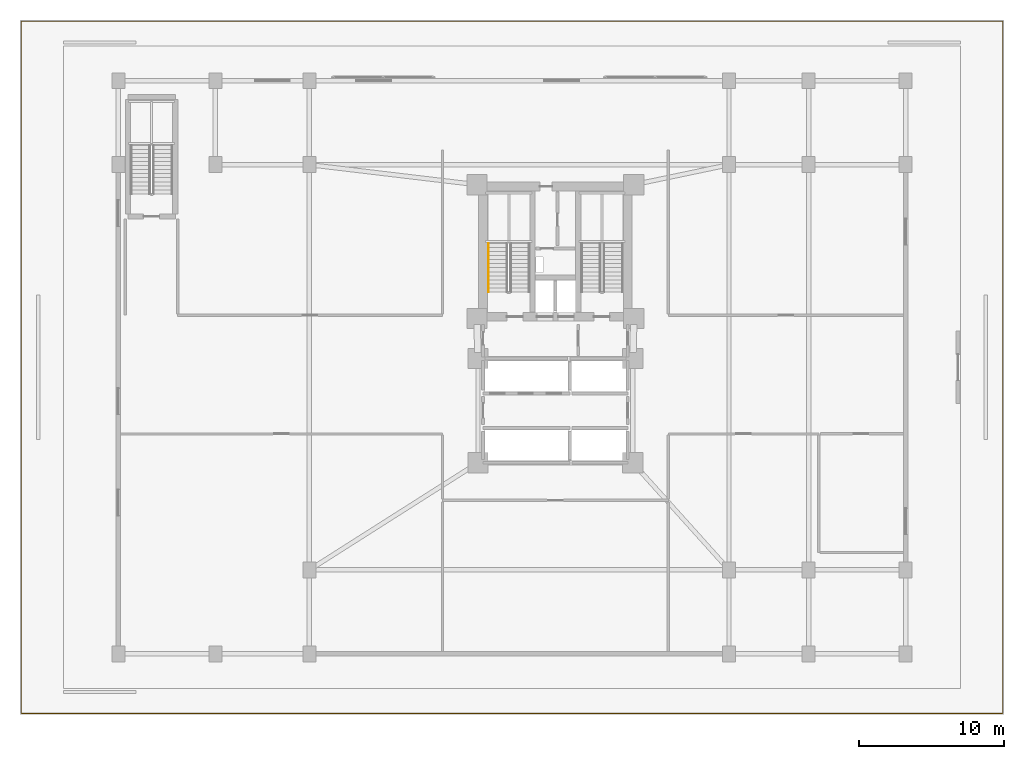
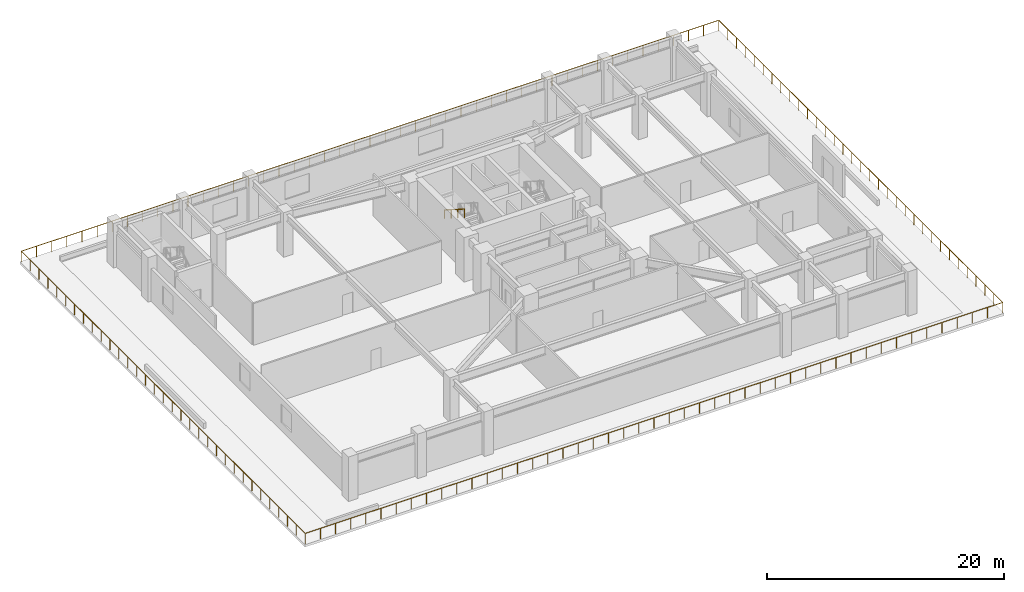
# One storey, part 9 of 10: 2 railings.
"""IFC4 building model written with IfcOpenShell, lengths in metres."""

from ifc_helpers import new_model, si_unit, direction, frame, origin, origin_2d, place, context, subcontext, project, spatial, rectangle, extrude, material, type_object, element, save


model = new_model("IFC4")

# Units and contexts
model_context = context("Model", 3, precision=1e-05, world=origin(), true_north=direction((0.0, 1.0)))
body_context = subcontext(model_context, "Body", "Model", "MODEL_VIEW")
ifc_project = project(units=[si_unit("LENGTHUNIT", "METRE"), si_unit("AREAUNIT", "SQUARE_METRE"), si_unit("VOLUMEUNIT", "CUBIC_METRE"), si_unit("PLANEANGLEUNIT", "RADIAN"), si_unit("MASSUNIT", "GRAM", prefix="KILO")], contexts=[model_context])

# Site, building, storey
site_placement = place(None, origin())
site = spatial("IfcSite", under=ifc_project, at=site_placement, CompositionType="ELEMENT")
building_placement = place(site_placement, origin())
building = spatial("IfcBuilding", under=site, at=building_placement, Name="Varnakorn Sky Granary", CompositionType="ELEMENT")
storey_placement = place(building_placement, frame((0.0, 0.0, 9.199951171875)))
storey = spatial("IfcBuildingStorey", under=building, at=storey_placement, Name="L02", CompositionType="ELEMENT", Elevation=9.199951171875)

# Railings
ifc_material_1 = material(Name="Anodised Bronze Aluminium Alloy 6063-T6", Category="aluminium")
railing_type_1 = type_object("IfcRailingType", Name="RL-BAL-1120", PredefinedType="BALUSTRADE", material=ifc_material_1)
railing_1_placement = place(storey_placement, frame((-33.919921875, -23.919921875, 0.0)))
element("IfcRailing", 1, at=railing_1_placement, inside=storey, type_object=railing_type_1, Name="Cascading Terrace Guard Balustrade L02", PredefinedType="BALUSTRADE", context=body_context, shape_type="SweptSolid", body=[
    extrude(rectangle(XDim=0.048095703125, YDim=0.048095703125, at=origin_2d()), frame((0.028076171875, 0.0, 1.09619140625), z_axis=(1.0, 0.0, 0.0), x_axis=(0.0, 1.0, 0.0)), (0.0, 0.0, 1.0), 67.783935546875),
    extrude(rectangle(XDim=0.048095703125, YDim=0.048095703125, at=origin_2d()), frame((67.83984375, 0.028076171875, 1.09619140625), z_axis=(0.0, 1.0, 0.0), x_axis=(-1.0, 0.0, 0.0)), (0.0, 0.0, 1.0), 47.783935546875),
    extrude(rectangle(XDim=0.048095703125, YDim=0.048095703125, at=origin_2d()), frame((67.811767578125, 47.83984375, 1.09619140625), z_axis=(-1.0, 0.0, 0.0), x_axis=(0.0, -1.0, 0.0)), (0.0, 0.0, 1.0), 67.783935546875),
    extrude(rectangle(XDim=0.048095703125, YDim=0.048095703125, at=origin_2d()), frame((0.0, 47.811767578125, 1.09619140625), z_axis=(0.0, -1.0, 0.0), x_axis=(1.0, 0.0, 0.0)), (0.0, 0.0, 1.0), 47.783935546875),
    extrude(rectangle(XDim=0.0419921875, YDim=0.0419921875, at=origin_2d()), origin(), (0.0, 0.0, 1.0), 1.068115234375),
    extrude(rectangle(XDim=0.0419921875, YDim=0.0419921875, at=origin_2d()), frame((1.474853515625, 0.0, 0.0)), (0.0, 0.0, 1.0), 1.068115234375),
    extrude(rectangle(XDim=0.0419921875, YDim=0.0419921875, at=origin_2d()), frame((2.949462890625, 0.0, 0.0)), (0.0, 0.0, 1.0), 1.068115234375),
    extrude(rectangle(XDim=0.0419921875, YDim=0.0419921875, at=origin_2d()), frame((4.42431640625, 0.0, 0.0)), (0.0, 0.0, 1.0), 1.068115234375),
    extrude(rectangle(XDim=0.0419921875, YDim=0.0419921875, at=origin_2d()), frame((5.899169921875, 0.0, 0.0)), (0.0, 0.0, 1.0), 1.068115234375),
    extrude(rectangle(XDim=0.0419921875, YDim=0.0419921875, at=origin_2d()), frame((7.373779296875, 0.0, 0.0)), (0.0, 0.0, 1.0), 1.068115234375),
    extrude(rectangle(XDim=0.0419921875, YDim=0.0419921875, at=origin_2d()), frame((8.8486328125, 0.0, 0.0)), (0.0, 0.0, 1.0), 1.068115234375),
    extrude(rectangle(XDim=0.0419921875, YDim=0.0419921875, at=origin_2d()), frame((10.323486328125, 0.0, 0.0)), (0.0, 0.0, 1.0), 1.068115234375),
    extrude(rectangle(XDim=0.0419921875, YDim=0.0419921875, at=origin_2d()), frame((11.79833984375, 0.0, 0.0)), (0.0, 0.0, 1.0), 1.068115234375),
    extrude(rectangle(XDim=0.0419921875, YDim=0.0419921875, at=origin_2d()), frame((13.27294921875, 0.0, 0.0)), (0.0, 0.0, 1.0), 1.068115234375),
    extrude(rectangle(XDim=0.0419921875, YDim=0.0419921875, at=origin_2d()), frame((14.747802734375, 0.0, 0.0)), (0.0, 0.0, 1.0), 1.068115234375),
    extrude(rectangle(XDim=0.0419921875, YDim=0.0419921875, at=origin_2d()), frame((16.22265625, 0.0, 0.0)), (0.0, 0.0, 1.0), 1.068115234375),
    extrude(rectangle(XDim=0.0419921875, YDim=0.0419921875, at=origin_2d()), frame((17.697265625, 0.0, 0.0)), (0.0, 0.0, 1.0), 1.068115234375),
    extrude(rectangle(XDim=0.0419921875, YDim=0.0419921875, at=origin_2d()), frame((19.172119140625, 0.0, 0.0)), (0.0, 0.0, 1.0), 1.068115234375),
    extrude(rectangle(XDim=0.0419921875, YDim=0.0419921875, at=origin_2d()), frame((20.64697265625, 0.0, 0.0)), (0.0, 0.0, 1.0), 1.068115234375),
    extrude(rectangle(XDim=0.0419921875, YDim=0.0419921875, at=origin_2d()), frame((22.12158203125, 0.0, 0.0)), (0.0, 0.0, 1.0), 1.068115234375),
    extrude(rectangle(XDim=0.0419921875, YDim=0.0419921875, at=origin_2d()), frame((23.596435546875, 0.0, 0.0)), (0.0, 0.0, 1.0), 1.068115234375),
    extrude(rectangle(XDim=0.0419921875, YDim=0.0419921875, at=origin_2d()), frame((25.0712890625, 0.0, 0.0)), (0.0, 0.0, 1.0), 1.068115234375),
    extrude(rectangle(XDim=0.0419921875, YDim=0.0419921875, at=origin_2d()), frame((26.546142578125, 0.0, 0.0)), (0.0, 0.0, 1.0), 1.068115234375),
    extrude(rectangle(XDim=0.0419921875, YDim=0.0419921875, at=origin_2d()), frame((28.020751953125, 0.0, 0.0)), (0.0, 0.0, 1.0), 1.068115234375),
    extrude(rectangle(XDim=0.0419921875, YDim=0.0419921875, at=origin_2d()), frame((29.49560546875, 0.0, 0.0)), (0.0, 0.0, 1.0), 1.068115234375),
    extrude(rectangle(XDim=0.0419921875, YDim=0.0419921875, at=origin_2d()), frame((30.970458984375, 0.0, 0.0)), (0.0, 0.0, 1.0), 1.068115234375),
    extrude(rectangle(XDim=0.0419921875, YDim=0.0419921875, at=origin_2d()), frame((32.445068359375, 0.0, 0.0)), (0.0, 0.0, 1.0), 1.068115234375),
    extrude(rectangle(XDim=0.0419921875, YDim=0.0419921875, at=origin_2d()), frame((33.919921875, 0.0, 0.0)), (0.0, 0.0, 1.0), 1.068115234375),
    extrude(rectangle(XDim=0.0419921875, YDim=0.0419921875, at=origin_2d()), frame((35.394775390625, 0.0, 0.0)), (0.0, 0.0, 1.0), 1.068115234375),
    extrude(rectangle(XDim=0.0419921875, YDim=0.0419921875, at=origin_2d()), frame((36.869384765625, 0.0, 0.0)), (0.0, 0.0, 1.0), 1.068115234375),
    extrude(rectangle(XDim=0.0419921875, YDim=0.0419921875, at=origin_2d()), frame((38.34423828125, 0.0, 0.0)), (0.0, 0.0, 1.0), 1.068115234375),
    extrude(rectangle(XDim=0.0419921875, YDim=0.0419921875, at=origin_2d()), frame((39.819091796875, 0.0, 0.0)), (0.0, 0.0, 1.0), 1.068115234375),
    extrude(rectangle(XDim=0.0419921875, YDim=0.0419921875, at=origin_2d()), frame((41.293701171875, 0.0, 0.0)), (0.0, 0.0, 1.0), 1.068115234375),
    extrude(rectangle(XDim=0.0419921875, YDim=0.0419921875, at=origin_2d()), frame((42.7685546875, 0.0, 0.0)), (0.0, 0.0, 1.0), 1.068115234375),
    extrude(rectangle(XDim=0.0419921875, YDim=0.0419921875, at=origin_2d()), frame((44.243408203125, 0.0, 0.0)), (0.0, 0.0, 1.0), 1.068115234375),
    extrude(rectangle(XDim=0.0419921875, YDim=0.0419921875, at=origin_2d()), frame((45.71826171875, 0.0, 0.0)), (0.0, 0.0, 1.0), 1.068115234375),
    extrude(rectangle(XDim=0.0419921875, YDim=0.0419921875, at=origin_2d()), frame((47.19287109375, 0.0, 0.0)), (0.0, 0.0, 1.0), 1.068115234375),
    extrude(rectangle(XDim=0.0419921875, YDim=0.0419921875, at=origin_2d()), frame((48.667724609375, 0.0, 0.0)), (0.0, 0.0, 1.0), 1.068115234375),
    extrude(rectangle(XDim=0.0419921875, YDim=0.0419921875, at=origin_2d()), frame((50.142578125, 0.0, 0.0)), (0.0, 0.0, 1.0), 1.068115234375),
    extrude(rectangle(XDim=0.0419921875, YDim=0.0419921875, at=origin_2d()), frame((51.6171875, 0.0, 0.0)), (0.0, 0.0, 1.0), 1.068115234375),
    extrude(rectangle(XDim=0.0419921875, YDim=0.0419921875, at=origin_2d()), frame((53.092041015625, 0.0, 0.0)), (0.0, 0.0, 1.0), 1.068115234375),
    extrude(rectangle(XDim=0.0419921875, YDim=0.0419921875, at=origin_2d()), frame((54.56689453125, 0.0, 0.0)), (0.0, 0.0, 1.0), 1.068115234375),
    extrude(rectangle(XDim=0.0419921875, YDim=0.0419921875, at=origin_2d()), frame((56.04150390625, 0.0, 0.0)), (0.0, 0.0, 1.0), 1.068115234375),
    extrude(rectangle(XDim=0.0419921875, YDim=0.0419921875, at=origin_2d()), frame((57.516357421875, 0.0, 0.0)), (0.0, 0.0, 1.0), 1.068115234375),
    extrude(rectangle(XDim=0.0419921875, YDim=0.0419921875, at=origin_2d()), frame((58.9912109375, 0.0, 0.0)), (0.0, 0.0, 1.0), 1.068115234375),
    extrude(rectangle(XDim=0.0419921875, YDim=0.0419921875, at=origin_2d()), frame((60.466064453125, 0.0, 0.0)), (0.0, 0.0, 1.0), 1.068115234375),
    extrude(rectangle(XDim=0.0419921875, YDim=0.0419921875, at=origin_2d()), frame((61.940673828125, 0.0, 0.0)), (0.0, 0.0, 1.0), 1.068115234375),
    extrude(rectangle(XDim=0.0419921875, YDim=0.0419921875, at=origin_2d()), frame((63.41552734375, 0.0, 0.0)), (0.0, 0.0, 1.0), 1.068115234375),
    extrude(rectangle(XDim=0.0419921875, YDim=0.0419921875, at=origin_2d()), frame((64.890380859375, 0.0, 0.0)), (0.0, 0.0, 1.0), 1.068115234375),
    extrude(rectangle(XDim=0.0419921875, YDim=0.0419921875, at=origin_2d()), frame((66.364990234375, 0.0, 0.0)), (0.0, 0.0, 1.0), 1.068115234375),
    extrude(rectangle(XDim=0.0419921875, YDim=0.0419921875, at=origin_2d()), frame((67.83984375, 0.0, 0.0)), (0.0, 0.0, 1.0), 1.068115234375),
    extrude(rectangle(XDim=0.0419921875, YDim=0.0419921875, at=origin_2d()), frame((67.83984375, 1.4951171875, 0.0)), (0.0, 0.0, 1.0), 1.068115234375),
    extrude(rectangle(XDim=0.0419921875, YDim=0.0419921875, at=origin_2d()), frame((67.83984375, 2.989990234375, 0.0)), (0.0, 0.0, 1.0), 1.068115234375),
    extrude(rectangle(XDim=0.0419921875, YDim=0.0419921875, at=origin_2d()), frame((67.83984375, 4.48486328125, 0.0)), (0.0, 0.0, 1.0), 1.068115234375),
    extrude(rectangle(XDim=0.0419921875, YDim=0.0419921875, at=origin_2d()), frame((67.83984375, 5.97998046875, 0.0)), (0.0, 0.0, 1.0), 1.068115234375),
    extrude(rectangle(XDim=0.0419921875, YDim=0.0419921875, at=origin_2d()), frame((67.83984375, 7.47509765625, 0.0)), (0.0, 0.0, 1.0), 1.068115234375),
    extrude(rectangle(XDim=0.0419921875, YDim=0.0419921875, at=origin_2d()), frame((67.83984375, 8.969970703125, 0.0)), (0.0, 0.0, 1.0), 1.068115234375),
    extrude(rectangle(XDim=0.0419921875, YDim=0.0419921875, at=origin_2d()), frame((67.83984375, 10.46484375, 0.0)), (0.0, 0.0, 1.0), 1.068115234375),
    extrude(rectangle(XDim=0.0419921875, YDim=0.0419921875, at=origin_2d()), frame((67.83984375, 11.9599609375, 0.0)), (0.0, 0.0, 1.0), 1.068115234375),
    extrude(rectangle(XDim=0.0419921875, YDim=0.0419921875, at=origin_2d()), frame((67.83984375, 13.455078125, 0.0)), (0.0, 0.0, 1.0), 1.068115234375),
    extrude(rectangle(XDim=0.0419921875, YDim=0.0419921875, at=origin_2d()), frame((67.83984375, 14.949951171875, 0.0)), (0.0, 0.0, 1.0), 1.068115234375),
    extrude(rectangle(XDim=0.0419921875, YDim=0.0419921875, at=origin_2d()), frame((67.83984375, 16.44482421875, 0.0)), (0.0, 0.0, 1.0), 1.068115234375),
    extrude(rectangle(XDim=0.0419921875, YDim=0.0419921875, at=origin_2d()), frame((67.83984375, 17.93994140625, 0.0)), (0.0, 0.0, 1.0), 1.068115234375),
    extrude(rectangle(XDim=0.0419921875, YDim=0.0419921875, at=origin_2d()), frame((67.83984375, 19.43505859375, 0.0)), (0.0, 0.0, 1.0), 1.068115234375),
    extrude(rectangle(XDim=0.0419921875, YDim=0.0419921875, at=origin_2d()), frame((67.83984375, 20.929931640625, 0.0)), (0.0, 0.0, 1.0), 1.068115234375),
    extrude(rectangle(XDim=0.0419921875, YDim=0.0419921875, at=origin_2d()), frame((67.83984375, 22.4248046875, 0.0)), (0.0, 0.0, 1.0), 1.068115234375),
    extrude(rectangle(XDim=0.0419921875, YDim=0.0419921875, at=origin_2d()), frame((67.83984375, 23.919921875, 0.0)), (0.0, 0.0, 1.0), 1.068115234375),
    extrude(rectangle(XDim=0.0419921875, YDim=0.0419921875, at=origin_2d()), frame((67.83984375, 25.4150390625, 0.0)), (0.0, 0.0, 1.0), 1.068115234375),
    extrude(rectangle(XDim=0.0419921875, YDim=0.0419921875, at=origin_2d()), frame((67.83984375, 26.909912109375, 0.0)), (0.0, 0.0, 1.0), 1.068115234375),
    extrude(rectangle(XDim=0.0419921875, YDim=0.0419921875, at=origin_2d()), frame((67.83984375, 28.40478515625, 0.0)), (0.0, 0.0, 1.0), 1.068115234375),
    extrude(rectangle(XDim=0.0419921875, YDim=0.0419921875, at=origin_2d()), frame((67.83984375, 29.89990234375, 0.0)), (0.0, 0.0, 1.0), 1.068115234375),
    extrude(rectangle(XDim=0.0419921875, YDim=0.0419921875, at=origin_2d()), frame((67.83984375, 31.39501953125, 0.0)), (0.0, 0.0, 1.0), 1.068115234375),
    extrude(rectangle(XDim=0.0419921875, YDim=0.0419921875, at=origin_2d()), frame((67.83984375, 32.889892578125, 0.0)), (0.0, 0.0, 1.0), 1.068115234375),
    extrude(rectangle(XDim=0.0419921875, YDim=0.0419921875, at=origin_2d()), frame((67.83984375, 34.384765625, 0.0)), (0.0, 0.0, 1.0), 1.068115234375),
    extrude(rectangle(XDim=0.0419921875, YDim=0.0419921875, at=origin_2d()), frame((67.83984375, 35.8798828125, 0.0)), (0.0, 0.0, 1.0), 1.068115234375),
    extrude(rectangle(XDim=0.0419921875, YDim=0.0419921875, at=origin_2d()), frame((67.83984375, 37.375, 0.0)), (0.0, 0.0, 1.0), 1.068115234375),
    extrude(rectangle(XDim=0.0419921875, YDim=0.0419921875, at=origin_2d()), frame((67.83984375, 38.869873046875, 0.0)), (0.0, 0.0, 1.0), 1.068115234375),
    extrude(rectangle(XDim=0.0419921875, YDim=0.0419921875, at=origin_2d()), frame((67.83984375, 40.36474609375, 0.0)), (0.0, 0.0, 1.0), 1.068115234375),
    extrude(rectangle(XDim=0.0419921875, YDim=0.0419921875, at=origin_2d()), frame((67.83984375, 41.85986328125, 0.0)), (0.0, 0.0, 1.0), 1.068115234375),
    extrude(rectangle(XDim=0.0419921875, YDim=0.0419921875, at=origin_2d()), frame((67.83984375, 43.35498046875, 0.0)), (0.0, 0.0, 1.0), 1.068115234375),
    extrude(rectangle(XDim=0.0419921875, YDim=0.0419921875, at=origin_2d()), frame((67.83984375, 44.849853515625, 0.0)), (0.0, 0.0, 1.0), 1.068115234375),
    extrude(rectangle(XDim=0.0419921875, YDim=0.0419921875, at=origin_2d()), frame((67.83984375, 46.3447265625, 0.0)), (0.0, 0.0, 1.0), 1.068115234375),
    extrude(rectangle(XDim=0.0419921875, YDim=0.0419921875, at=origin_2d()), frame((67.83984375, 47.83984375, 0.0)), (0.0, 0.0, 1.0), 1.068115234375),
    extrude(rectangle(XDim=0.0419921875, YDim=0.0419921875, at=origin_2d()), frame((66.364990234375, 47.83984375, 0.0)), (0.0, 0.0, 1.0), 1.068115234375),
    extrude(rectangle(XDim=0.0419921875, YDim=0.0419921875, at=origin_2d()), frame((64.890380859375, 47.83984375, 0.0)), (0.0, 0.0, 1.0), 1.068115234375),
    extrude(rectangle(XDim=0.0419921875, YDim=0.0419921875, at=origin_2d()), frame((63.41552734375, 47.83984375, 0.0)), (0.0, 0.0, 1.0), 1.068115234375),
    extrude(rectangle(XDim=0.0419921875, YDim=0.0419921875, at=origin_2d()), frame((61.940673828125, 47.83984375, 0.0)), (0.0, 0.0, 1.0), 1.068115234375),
    extrude(rectangle(XDim=0.0419921875, YDim=0.0419921875, at=origin_2d()), frame((60.466064453125, 47.83984375, 0.0)), (0.0, 0.0, 1.0), 1.068115234375),
    extrude(rectangle(XDim=0.0419921875, YDim=0.0419921875, at=origin_2d()), frame((58.9912109375, 47.83984375, 0.0)), (0.0, 0.0, 1.0), 1.068115234375),
    extrude(rectangle(XDim=0.0419921875, YDim=0.0419921875, at=origin_2d()), frame((57.516357421875, 47.83984375, 0.0)), (0.0, 0.0, 1.0), 1.068115234375),
    extrude(rectangle(XDim=0.0419921875, YDim=0.0419921875, at=origin_2d()), frame((56.04150390625, 47.83984375, 0.0)), (0.0, 0.0, 1.0), 1.068115234375),
    extrude(rectangle(XDim=0.0419921875, YDim=0.0419921875, at=origin_2d()), frame((54.56689453125, 47.83984375, 0.0)), (0.0, 0.0, 1.0), 1.068115234375),
    extrude(rectangle(XDim=0.0419921875, YDim=0.0419921875, at=origin_2d()), frame((53.092041015625, 47.83984375, 0.0)), (0.0, 0.0, 1.0), 1.068115234375),
    extrude(rectangle(XDim=0.0419921875, YDim=0.0419921875, at=origin_2d()), frame((51.6171875, 47.83984375, 0.0)), (0.0, 0.0, 1.0), 1.068115234375),
    extrude(rectangle(XDim=0.0419921875, YDim=0.0419921875, at=origin_2d()), frame((50.142578125, 47.83984375, 0.0)), (0.0, 0.0, 1.0), 1.068115234375),
    extrude(rectangle(XDim=0.0419921875, YDim=0.0419921875, at=origin_2d()), frame((48.667724609375, 47.83984375, 0.0)), (0.0, 0.0, 1.0), 1.068115234375),
    extrude(rectangle(XDim=0.0419921875, YDim=0.0419921875, at=origin_2d()), frame((47.19287109375, 47.83984375, 0.0)), (0.0, 0.0, 1.0), 1.068115234375),
    extrude(rectangle(XDim=0.0419921875, YDim=0.0419921875, at=origin_2d()), frame((45.71826171875, 47.83984375, 0.0)), (0.0, 0.0, 1.0), 1.068115234375),
    extrude(rectangle(XDim=0.0419921875, YDim=0.0419921875, at=origin_2d()), frame((44.243408203125, 47.83984375, 0.0)), (0.0, 0.0, 1.0), 1.068115234375),
    extrude(rectangle(XDim=0.0419921875, YDim=0.0419921875, at=origin_2d()), frame((42.7685546875, 47.83984375, 0.0)), (0.0, 0.0, 1.0), 1.068115234375),
    extrude(rectangle(XDim=0.0419921875, YDim=0.0419921875, at=origin_2d()), frame((41.293701171875, 47.83984375, 0.0)), (0.0, 0.0, 1.0), 1.068115234375),
    extrude(rectangle(XDim=0.0419921875, YDim=0.0419921875, at=origin_2d()), frame((39.819091796875, 47.83984375, 0.0)), (0.0, 0.0, 1.0), 1.068115234375),
    extrude(rectangle(XDim=0.0419921875, YDim=0.0419921875, at=origin_2d()), frame((38.34423828125, 47.83984375, 0.0)), (0.0, 0.0, 1.0), 1.068115234375),
    extrude(rectangle(XDim=0.0419921875, YDim=0.0419921875, at=origin_2d()), frame((36.869384765625, 47.83984375, 0.0)), (0.0, 0.0, 1.0), 1.068115234375),
    extrude(rectangle(XDim=0.0419921875, YDim=0.0419921875, at=origin_2d()), frame((35.394775390625, 47.83984375, 0.0)), (0.0, 0.0, 1.0), 1.068115234375),
    extrude(rectangle(XDim=0.0419921875, YDim=0.0419921875, at=origin_2d()), frame((33.919921875, 47.83984375, 0.0)), (0.0, 0.0, 1.0), 1.068115234375),
    extrude(rectangle(XDim=0.0419921875, YDim=0.0419921875, at=origin_2d()), frame((32.445068359375, 47.83984375, 0.0)), (0.0, 0.0, 1.0), 1.068115234375),
    extrude(rectangle(XDim=0.0419921875, YDim=0.0419921875, at=origin_2d()), frame((30.970458984375, 47.83984375, 0.0)), (0.0, 0.0, 1.0), 1.068115234375),
    extrude(rectangle(XDim=0.0419921875, YDim=0.0419921875, at=origin_2d()), frame((29.49560546875, 47.83984375, 0.0)), (0.0, 0.0, 1.0), 1.068115234375),
    extrude(rectangle(XDim=0.0419921875, YDim=0.0419921875, at=origin_2d()), frame((28.020751953125, 47.83984375, 0.0)), (0.0, 0.0, 1.0), 1.068115234375),
    extrude(rectangle(XDim=0.0419921875, YDim=0.0419921875, at=origin_2d()), frame((26.546142578125, 47.83984375, 0.0)), (0.0, 0.0, 1.0), 1.068115234375),
    extrude(rectangle(XDim=0.0419921875, YDim=0.0419921875, at=origin_2d()), frame((25.0712890625, 47.83984375, 0.0)), (0.0, 0.0, 1.0), 1.068115234375),
    extrude(rectangle(XDim=0.0419921875, YDim=0.0419921875, at=origin_2d()), frame((23.596435546875, 47.83984375, 0.0)), (0.0, 0.0, 1.0), 1.068115234375),
    extrude(rectangle(XDim=0.0419921875, YDim=0.0419921875, at=origin_2d()), frame((22.12158203125, 47.83984375, 0.0)), (0.0, 0.0, 1.0), 1.068115234375),
    extrude(rectangle(XDim=0.0419921875, YDim=0.0419921875, at=origin_2d()), frame((20.64697265625, 47.83984375, 0.0)), (0.0, 0.0, 1.0), 1.068115234375),
    extrude(rectangle(XDim=0.0419921875, YDim=0.0419921875, at=origin_2d()), frame((19.172119140625, 47.83984375, 0.0)), (0.0, 0.0, 1.0), 1.068115234375),
    extrude(rectangle(XDim=0.0419921875, YDim=0.0419921875, at=origin_2d()), frame((17.697265625, 47.83984375, 0.0)), (0.0, 0.0, 1.0), 1.068115234375),
    extrude(rectangle(XDim=0.0419921875, YDim=0.0419921875, at=origin_2d()), frame((16.22265625, 47.83984375, 0.0)), (0.0, 0.0, 1.0), 1.068115234375),
    extrude(rectangle(XDim=0.0419921875, YDim=0.0419921875, at=origin_2d()), frame((14.747802734375, 47.83984375, 0.0)), (0.0, 0.0, 1.0), 1.068115234375),
    extrude(rectangle(XDim=0.0419921875, YDim=0.0419921875, at=origin_2d()), frame((13.27294921875, 47.83984375, 0.0)), (0.0, 0.0, 1.0), 1.068115234375),
    extrude(rectangle(XDim=0.0419921875, YDim=0.0419921875, at=origin_2d()), frame((11.79833984375, 47.83984375, 0.0)), (0.0, 0.0, 1.0), 1.068115234375),
    extrude(rectangle(XDim=0.0419921875, YDim=0.0419921875, at=origin_2d()), frame((10.323486328125, 47.83984375, 0.0)), (0.0, 0.0, 1.0), 1.068115234375),
    extrude(rectangle(XDim=0.0419921875, YDim=0.0419921875, at=origin_2d()), frame((8.8486328125, 47.83984375, 0.0)), (0.0, 0.0, 1.0), 1.068115234375),
    extrude(rectangle(XDim=0.0419921875, YDim=0.0419921875, at=origin_2d()), frame((7.373779296875, 47.83984375, 0.0)), (0.0, 0.0, 1.0), 1.068115234375),
    extrude(rectangle(XDim=0.0419921875, YDim=0.0419921875, at=origin_2d()), frame((5.899169921875, 47.83984375, 0.0)), (0.0, 0.0, 1.0), 1.068115234375),
    extrude(rectangle(XDim=0.0419921875, YDim=0.0419921875, at=origin_2d()), frame((4.42431640625, 47.83984375, 0.0)), (0.0, 0.0, 1.0), 1.068115234375),
    extrude(rectangle(XDim=0.0419921875, YDim=0.0419921875, at=origin_2d()), frame((2.949462890625, 47.83984375, 0.0)), (0.0, 0.0, 1.0), 1.068115234375),
    extrude(rectangle(XDim=0.0419921875, YDim=0.0419921875, at=origin_2d()), frame((1.474853515625, 47.83984375, 0.0)), (0.0, 0.0, 1.0), 1.068115234375),
    extrude(rectangle(XDim=0.0419921875, YDim=0.0419921875, at=origin_2d()), frame((0.0, 47.83984375, 0.0)), (0.0, 0.0, 1.0), 1.068115234375),
    extrude(rectangle(XDim=0.0419921875, YDim=0.0419921875, at=origin_2d()), frame((0.0, 46.3447265625, 0.0)), (0.0, 0.0, 1.0), 1.068115234375),
    extrude(rectangle(XDim=0.0419921875, YDim=0.0419921875, at=origin_2d()), frame((0.0, 44.849853515625, 0.0)), (0.0, 0.0, 1.0), 1.068115234375),
    extrude(rectangle(XDim=0.0419921875, YDim=0.0419921875, at=origin_2d()), frame((0.0, 43.35498046875, 0.0)), (0.0, 0.0, 1.0), 1.068115234375),
    extrude(rectangle(XDim=0.0419921875, YDim=0.0419921875, at=origin_2d()), frame((0.0, 41.85986328125, 0.0)), (0.0, 0.0, 1.0), 1.068115234375),
    extrude(rectangle(XDim=0.0419921875, YDim=0.0419921875, at=origin_2d()), frame((0.0, 40.36474609375, 0.0)), (0.0, 0.0, 1.0), 1.068115234375),
    extrude(rectangle(XDim=0.0419921875, YDim=0.0419921875, at=origin_2d()), frame((0.0, 38.869873046875, 0.0)), (0.0, 0.0, 1.0), 1.068115234375),
    extrude(rectangle(XDim=0.0419921875, YDim=0.0419921875, at=origin_2d()), frame((0.0, 37.375, 0.0)), (0.0, 0.0, 1.0), 1.068115234375),
    extrude(rectangle(XDim=0.0419921875, YDim=0.0419921875, at=origin_2d()), frame((0.0, 35.8798828125, 0.0)), (0.0, 0.0, 1.0), 1.068115234375),
    extrude(rectangle(XDim=0.0419921875, YDim=0.0419921875, at=origin_2d()), frame((0.0, 34.384765625, 0.0)), (0.0, 0.0, 1.0), 1.068115234375),
    extrude(rectangle(XDim=0.0419921875, YDim=0.0419921875, at=origin_2d()), frame((0.0, 32.889892578125, 0.0)), (0.0, 0.0, 1.0), 1.068115234375),
    extrude(rectangle(XDim=0.0419921875, YDim=0.0419921875, at=origin_2d()), frame((0.0, 31.39501953125, 0.0)), (0.0, 0.0, 1.0), 1.068115234375),
    extrude(rectangle(XDim=0.0419921875, YDim=0.0419921875, at=origin_2d()), frame((0.0, 29.89990234375, 0.0)), (0.0, 0.0, 1.0), 1.068115234375),
    extrude(rectangle(XDim=0.0419921875, YDim=0.0419921875, at=origin_2d()), frame((0.0, 28.40478515625, 0.0)), (0.0, 0.0, 1.0), 1.068115234375),
    extrude(rectangle(XDim=0.0419921875, YDim=0.0419921875, at=origin_2d()), frame((0.0, 26.909912109375, 0.0)), (0.0, 0.0, 1.0), 1.068115234375),
    extrude(rectangle(XDim=0.0419921875, YDim=0.0419921875, at=origin_2d()), frame((0.0, 25.4150390625, 0.0)), (0.0, 0.0, 1.0), 1.068115234375),
    extrude(rectangle(XDim=0.0419921875, YDim=0.0419921875, at=origin_2d()), frame((0.0, 23.919921875, 0.0)), (0.0, 0.0, 1.0), 1.068115234375),
    extrude(rectangle(XDim=0.0419921875, YDim=0.0419921875, at=origin_2d()), frame((0.0, 22.4248046875, 0.0)), (0.0, 0.0, 1.0), 1.068115234375),
    extrude(rectangle(XDim=0.0419921875, YDim=0.0419921875, at=origin_2d()), frame((0.0, 20.929931640625, 0.0)), (0.0, 0.0, 1.0), 1.068115234375),
    extrude(rectangle(XDim=0.0419921875, YDim=0.0419921875, at=origin_2d()), frame((0.0, 19.43505859375, 0.0)), (0.0, 0.0, 1.0), 1.068115234375),
    extrude(rectangle(XDim=0.0419921875, YDim=0.0419921875, at=origin_2d()), frame((0.0, 17.93994140625, 0.0)), (0.0, 0.0, 1.0), 1.068115234375),
    extrude(rectangle(XDim=0.0419921875, YDim=0.0419921875, at=origin_2d()), frame((0.0, 16.44482421875, 0.0)), (0.0, 0.0, 1.0), 1.068115234375),
    extrude(rectangle(XDim=0.0419921875, YDim=0.0419921875, at=origin_2d()), frame((0.0, 14.949951171875, 0.0)), (0.0, 0.0, 1.0), 1.068115234375),
    extrude(rectangle(XDim=0.0419921875, YDim=0.0419921875, at=origin_2d()), frame((0.0, 13.455078125, 0.0)), (0.0, 0.0, 1.0), 1.068115234375),
    extrude(rectangle(XDim=0.0419921875, YDim=0.0419921875, at=origin_2d()), frame((0.0, 11.9599609375, 0.0)), (0.0, 0.0, 1.0), 1.068115234375),
    extrude(rectangle(XDim=0.0419921875, YDim=0.0419921875, at=origin_2d()), frame((0.0, 10.46484375, 0.0)), (0.0, 0.0, 1.0), 1.068115234375),
    extrude(rectangle(XDim=0.0419921875, YDim=0.0419921875, at=origin_2d()), frame((0.0, 8.969970703125, 0.0)), (0.0, 0.0, 1.0), 1.068115234375),
    extrude(rectangle(XDim=0.0419921875, YDim=0.0419921875, at=origin_2d()), frame((0.0, 7.47509765625, 0.0)), (0.0, 0.0, 1.0), 1.068115234375),
    extrude(rectangle(XDim=0.0419921875, YDim=0.0419921875, at=origin_2d()), frame((0.0, 5.97998046875, 0.0)), (0.0, 0.0, 1.0), 1.068115234375),
    extrude(rectangle(XDim=0.0419921875, YDim=0.0419921875, at=origin_2d()), frame((0.0, 4.48486328125, 0.0)), (0.0, 0.0, 1.0), 1.068115234375),
    extrude(rectangle(XDim=0.0419921875, YDim=0.0419921875, at=origin_2d()), frame((0.0, 2.989990234375, 0.0)), (0.0, 0.0, 1.0), 1.068115234375),
    extrude(rectangle(XDim=0.0419921875, YDim=0.0419921875, at=origin_2d()), frame((0.0, 1.4951171875, 0.0)), (0.0, 0.0, 1.0), 1.068115234375),
])
ifc_material_2 = material(Name="Brushed Stainless Steel 316", Category="steel")
railing_type_2 = type_object("IfcRailingType", Name="RL-STAIR-920", PredefinedType="HANDRAIL", material=ifc_material_2)
railing_2_placement = place(storey_placement, frame((-1.6201171875, 8.56005859375, 2.47705078125)))
element("IfcRailing", 2, at=railing_2_placement, inside=storey, type_object=railing_type_2, Name="L02 ST-1 stair handrail 2", PredefinedType="HANDRAIL", context=body_context, shape_type="SweptSolid", body=[
    extrude(rectangle(XDim=0.048095703125, YDim=0.048095703125, at=origin_2d()), frame((0.0, 0.0, 0.8759765625), z_axis=(0.0, -0.845389635667, 0.534150132366), x_axis=(1.0, 0.0, 0.0)), (0.0, 0.0, 1.0), 3.974609375),
    extrude(rectangle(XDim=0.0419921875, YDim=0.0419921875, at=origin_2d()), origin(), (0.0, 0.0, 1.0), 0.847900390625),
    extrude(rectangle(XDim=0.0419921875, YDim=0.0419921875, at=origin_2d()), frame((0.0, -1.1201171875, 0.707763671875)), (0.0, 0.0, 1.0), 0.847900390625),
    extrude(rectangle(XDim=0.0419921875, YDim=0.0419921875, at=origin_2d()), frame((0.0, -2.239990234375, 1.415283203125)), (0.0, 0.0, 1.0), 0.847900390625),
    extrude(rectangle(XDim=0.0419921875, YDim=0.0419921875, at=origin_2d()), frame((0.0, -3.360107421875, 2.123046875)), (0.0, 0.0, 1.0), 0.847900390625),
])

save(model, "model.ifc")
